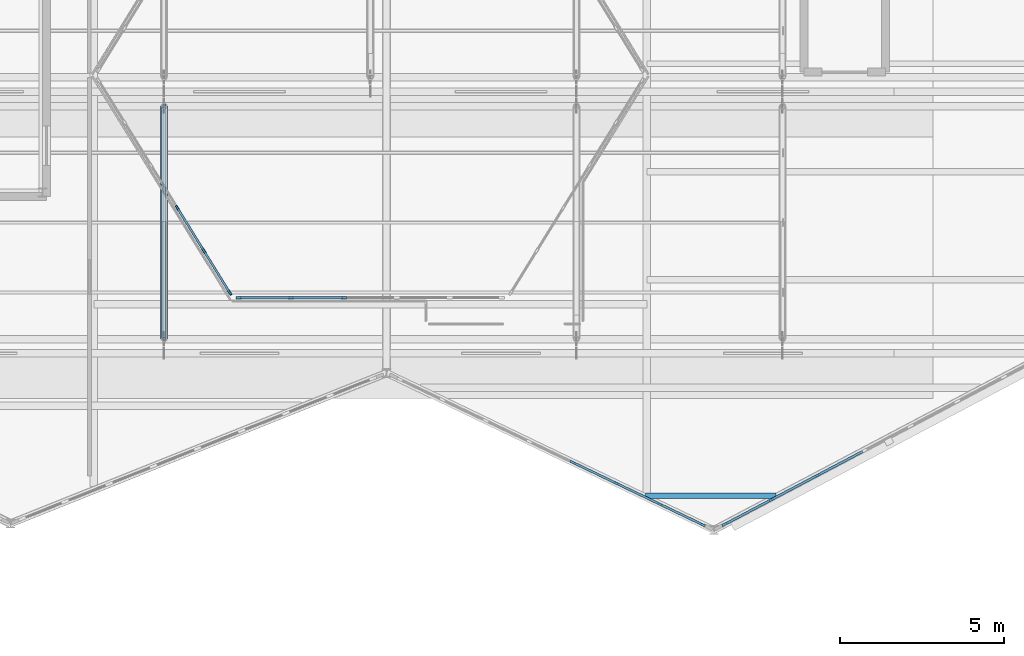
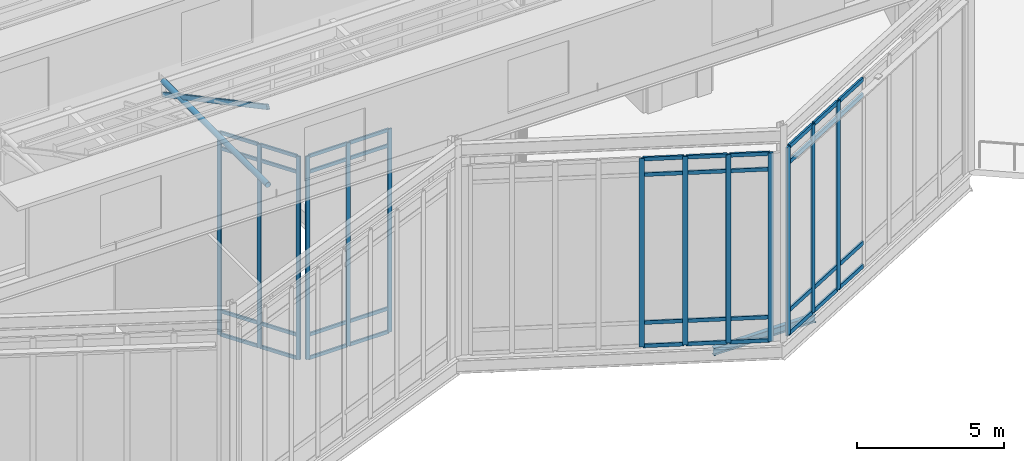
# One storey, part 15 of 66: 55 members, 1 beam, 4 elements without a shape of their own.
"""IFC4 building model written with IfcOpenShell, lengths in metres."""

import ifcopenshell
import ifcopenshell.guid

model = None  # the IFC model being written
_history = None  # IfcOwnerHistory: only IFC2X3 demands one
_inside = {}  # id of a spatial element -> (the spatial element, [elements in it])
_under = {}  # id of a project, library or spatial element -> (it, [spatial elements below it])
_declared = {}  # id of a project -> (the project, [libraries it declares])
_typed = {}  # id of a type object -> (the type object, [elements of that type])
_made_of = {}  # id of a material, layer set ... -> (it, [elements and type objects made of it])


def new_model(schema):
    """Start an empty IFC model of exactly this schema.

    Asked for "IFC4X3", IfcOpenShell would pick the latest addendum, in which some entities
    have other attributes; the version numbers below select the first issue.
    IFC2X3 requires an IfcOwnerHistory on every rooted entity: one is made here for all.
    """
    global model, _history
    if schema == "IFC4X3":
        model = ifcopenshell.file(schema_version=(4, 3, 0, 0))
    else:
        model = ifcopenshell.file(schema=schema)
    _inside.clear()
    _under.clear()
    _declared.clear()
    _typed.clear()
    _made_of.clear()
    _history = None
    if model.schema == "IFC2X3":
        org = make("IfcOrganization", Name="unknown")
        user = make(
            "IfcPersonAndOrganization",
            ThePerson=make("IfcPerson", FamilyName="unknown"),
            TheOrganization=org,
        )
        app = make(
            "IfcApplication",
            ApplicationDeveloper=org,
            Version="unknown",
            ApplicationFullName="unknown",
            ApplicationIdentifier="unknown",
        )
        _history = make(
            "IfcOwnerHistory",
            OwningUser=user,
            OwningApplication=app,
            ChangeAction="ADDED",
            CreationDate=0,
        )
    return model


def make(cls, **values):
    """One entity of the class cls with the attributes given. An attribute that is None is left unset."""
    return model.create_entity(
        cls, **{name: value for name, value in values.items() if value is not None}
    )


def rooted(cls, **values):
    """An entity with a GlobalId (a new one), such as an element, a storey or a relation."""
    return make(cls, GlobalId=ifcopenshell.guid.new(), OwnerHistory=_history, **values)


def si_unit(unit_type, name, prefix=None):
    """IfcSIUnit, for example si_unit("LENGTHUNIT", "METRE", prefix="MILLI")."""
    return make("IfcSIUnit", UnitType=unit_type, Prefix=prefix, Name=name)


def assignment(units):
    """IfcUnitAssignment: the units of a project."""
    return None if units is None else make("IfcUnitAssignment", Units=units)


def point(xyz):
    """IfcCartesianPoint."""
    return None if xyz is None else make("IfcCartesianPoint", Coordinates=xyz)


def direction(xyz):
    """IfcDirection."""
    return None if xyz is None else make("IfcDirection", DirectionRatios=xyz)


def frame(location, z_axis=None, x_axis=None):
    """IfcAxis2Placement3D, a coordinate frame: its origin and axes. An axis left out is left unset."""
    return make(
        "IfcAxis2Placement3D",
        Location=point(location),
        Axis=direction(z_axis),
        RefDirection=direction(x_axis),
    )


def frame_2d(location, x_axis=None):
    """IfcAxis2Placement2D, a coordinate frame in the plane: its origin and x axis."""
    return make(
        "IfcAxis2Placement2D", Location=point(location), RefDirection=direction(x_axis)
    )


def origin():
    """The frame at (0, 0, 0) with its axes left unset."""
    return frame((0.0, 0.0, 0.0))


def origin_2d():
    """The frame at (0, 0) in the plane with its x axis left unset."""
    return frame_2d((0.0, 0.0))


def place(relative_to, where):
    """IfcLocalPlacement: puts the frame where relative to a parent placement (None: the world)."""
    return make(
        "IfcLocalPlacement", PlacementRelTo=relative_to, RelativePlacement=where
    )


def context(
    kind, dimensions, precision=None, world=None, true_north=None, identifier=None
):
    """IfcGeometricRepresentationContext, for example the 3D "Model" context."""
    return make(
        "IfcGeometricRepresentationContext",
        ContextIdentifier=identifier,
        ContextType=kind,
        CoordinateSpaceDimension=dimensions,
        Precision=precision,
        WorldCoordinateSystem=world,
        TrueNorth=true_north,
    )


def subcontext(parent, identifier, kind, view, scale=None):
    """IfcGeometricRepresentationSubContext, for example "Body" below "Model"."""
    return make(
        "IfcGeometricRepresentationSubContext",
        ContextIdentifier=identifier,
        ContextType=kind,
        ParentContext=parent,
        TargetScale=scale,
        TargetView=view,
    )


def project(units=None, contexts=None):
    """IfcProject with its units and contexts."""
    return rooted(
        "IfcProject",
        Name="project",
        RepresentationContexts=contexts,
        UnitsInContext=assignment(units),
    )


def spatial(cls, under=None, at=None, **own):
    """A site, building, storey or space (cls), placed at a placement, below another one or the project."""
    s = rooted(cls, ObjectPlacement=at, **own)
    if under is not None:
        _under.setdefault(under.id(), (under, []))[1].append(s)
    return s


def profile(cls, at=None, kind="AREA", **sizes):
    """A parametric profile (cls). Its sizes go by their IFC names, for example OverallWidth=200.0."""
    return make(cls, ProfileType=kind, Position=at, **sizes)


def rectangle(**sizes):
    """IfcRectangleProfileDef."""
    return profile("IfcRectangleProfileDef", **sizes)


def hollow_rectangle(**sizes):
    """IfcRectangleHollowProfileDef."""
    return profile("IfcRectangleHollowProfileDef", **sizes)


def hollow_circle(**sizes):
    """IfcCircleHollowProfileDef."""
    return profile("IfcCircleHollowProfileDef", **sizes)


def i_section(**sizes):
    """IfcIShapeProfileDef."""
    return profile("IfcIShapeProfileDef", **sizes)


def extrude(swept, where, along, depth):
    """IfcExtrudedAreaSolid: the profile swept, set in the frame where, extruded along a direction by depth."""
    return make(
        "IfcExtrudedAreaSolid",
        SweptArea=swept,
        Position=where,
        ExtrudedDirection=direction(along),
        Depth=depth,
    )


def shape(context_of_items, identifier, shape_type, items):
    """IfcShapeRepresentation: the items that make up one representation, for example the "Body"."""
    return make(
        "IfcShapeRepresentation",
        ContextOfItems=context_of_items,
        RepresentationIdentifier=identifier,
        RepresentationType=shape_type,
        Items=items,
    )


def material(Name=None, Category=None):
    """IfcMaterial."""
    return make("IfcMaterial", Name=Name, Category=Category)


def material_profile(
    of_material, cross_section, Name=None, Category=None, Priority=None
):
    """IfcMaterialProfile: a cross section and its material."""
    return make(
        "IfcMaterialProfile",
        Name=Name,
        Material=of_material,
        Profile=cross_section,
        Priority=Priority,
        Category=Category,
    )


def profile_set(profiles, Name=None, composite=None):
    """IfcMaterialProfileSet."""
    return make(
        "IfcMaterialProfileSet",
        Name=Name,
        MaterialProfiles=profiles,
        CompositeProfile=composite,
    )


def made_of(thing, what):
    """Note that an element or type object is made of a material, layer set ...; save() writes the relation."""
    if what is not None:
        _made_of.setdefault(what.id(), (what, []))[1].append(thing)
    return thing


def type_object(cls, material=None, **own):
    """A type object (cls), such as IfcWallType, which elements share."""
    return made_of(rooted(cls, **own), material)


def element(
    cls,
    number,
    at=None,
    inside=None,
    cuts=None,
    type_object=None,
    material=None,
    context=None,
    identifier="Body",
    shape_type=None,
    held_by="IfcProductDefinitionShape",
    body=None,
    shapes=None,
    **own,
):
    """One element of the class cls, such as IfcWall. Its Tag is "e" and its number.

    at: its placement. inside: the storey or other place that contains it. cuts: it is an
    opening in that element (IfcRelVoidsElement). A single representation is given by context,
    identifier, shape_type and body (its items); several are given by shapes. held_by: the class
    of the entity that holds the representations. save() writes the other relations.
    """
    e = rooted(cls, Tag="e%d" % number, ObjectPlacement=at, **own)
    if body is not None:
        shapes = [shape(context, identifier, shape_type, body)]
    if shapes is not None:
        e.Representation = make(held_by, Representations=shapes)
    if inside is not None:
        _inside.setdefault(inside.id(), (inside, []))[1].append(e)
    if cuts is not None:
        rooted(
            "IfcRelVoidsElement", RelatingBuildingElement=cuts, RelatedOpeningElement=e
        )
    if type_object is not None:
        _typed.setdefault(type_object.id(), (type_object, []))[1].append(e)
    return made_of(e, material)


def aggregate(whole, parts):
    """IfcRelAggregates: a whole, such as a stair, and the parts it consists of."""
    return rooted("IfcRelAggregates", RelatingObject=whole, RelatedObjects=parts)


def save(model, path):
    """Write the relations noted so far, then the file.

    IfcRelAggregates (storeys below a building ...), IfcRelContainedInSpatialStructure (elements
    in a storey), IfcRelDefinesByType, IfcRelAssociatesMaterial and IfcRelDeclares: one each for
    every whole, place, type object, material and project.
    """
    for whole, parts in _under.values():
        aggregate(whole, parts)
    for where, things in _inside.values():
        rooted(
            "IfcRelContainedInSpatialStructure",
            RelatedElements=things,
            RelatingStructure=where,
        )
    for kind, things in _typed.values():
        rooted("IfcRelDefinesByType", RelatedObjects=things, RelatingType=kind)
    for what, things in _made_of.values():
        rooted("IfcRelAssociatesMaterial", RelatedObjects=things, RelatingMaterial=what)
    for by, libraries in _declared.values():
        rooted("IfcRelDeclares", RelatingContext=by, RelatedDefinitions=libraries)
    model.write(path)


model = new_model("IFC4")

# Units and contexts
model_context = context("Model", 3, precision=1e-05, world=origin(), true_north=direction((0.0, 1.0)))
body_context = subcontext(model_context, "Body", "Model", "MODEL_VIEW")
ifc_project = project(units=[si_unit("LENGTHUNIT", "METRE"), si_unit("AREAUNIT", "SQUARE_METRE"), si_unit("VOLUMEUNIT", "CUBIC_METRE"), si_unit("PLANEANGLEUNIT", "RADIAN"), si_unit("MASSUNIT", "GRAM", prefix="KILO")], contexts=[model_context])

# Site, building, storey
site_placement = place(None, origin())
site = spatial("IfcSite", under=ifc_project, at=site_placement, CompositionType="ELEMENT")
building_placement = place(site_placement, origin())
building = spatial("IfcBuilding", under=site, at=building_placement, Name="Tameran Prism Museum", CompositionType="ELEMENT")
storey_placement = place(building_placement, frame((0.0, 0.0, 19.800048828125)))
storey = spatial("IfcBuildingStorey", under=building, at=storey_placement, Name="L04", CompositionType="ELEMENT", Elevation=19.800048828125)

# Beam
ifc_material_1 = material(Name="Steel Grade 300PLUS (300 MPa)", Category="steel")
ifc_material_profile_1 = material_profile(ifc_material_1, i_section(OverallWidth=0.1650390625, OverallDepth=0.303955078125, WebThickness=0.006103515625, FlangeThickness=0.01025390625, FilletRadius=0.011474609375, at=origin_2d()))
ifc_profile_set_1 = profile_set([ifc_material_profile_1])
beam_type = type_object("IfcBeamType", Name="BM-J310B", PredefinedType="JOIST", material=ifc_profile_set_1)
beam_placement = place(storey_placement, frame((85.405029296875, 23.64990234375, -0.35205078125), z_axis=(1.0, 0.0, 0.0), x_axis=(0.0, 1.0, 0.0)))
element("IfcBeam", 1, at=beam_placement, inside=storey, type_object=beam_type, Name="Floor Beam BM-1233", PredefinedType="JOIST", context=body_context, shape_type="SweptSolid", body=[
    extrude(i_section(OverallWidth=0.1650390625, OverallDepth=0.303955078125, WebThickness=0.006103515625, FlangeThickness=0.01025390625, FilletRadius=0.011474609375, at=origin_2d()), origin(), (0.0, 0.0, 1.0), 3.9970703125),
])

# Curtain wall, members
ifc_material_2 = material(Name="Anodised Aluminium 6063-T6 and Cyclone Solar Glass", Category="aluminium")
curtain_wall_type_1 = type_object("IfcCurtainWallType", Name="CW-ATR-769x844", PredefinedType="USERDEFINED", material=ifc_material_2)
curtain_wall_1_placement = place(storey_placement, origin())
curtain_wall_1 = element("IfcCurtainWall", 2, at=curtain_wall_1_placement, inside=storey, type_object=curtain_wall_type_1, Name="Unitised Curtain Wall CW-015", ObjectType="UNITISED CURTAIN WALL", PredefinedType="USERDEFINED")
ifc_material_3 = material(Name="Anodised Aluminium Alloy 6063-T6", Category="aluminium")
ifc_material_profile_2 = material_profile(ifc_material_3, rectangle(XDim=0.06494140625, YDim=0.159912109375, at=origin_2d()))
ifc_profile_set_2 = profile_set([ifc_material_profile_2])
member_type_1 = type_object("IfcMemberType", Name="CW-MUL-A", PredefinedType="MULLION", material=ifc_profile_set_2)
member_1_placement = place(storey_placement, frame((71.104248046875, 32.445556640625, 0.0), z_axis=(0.0, 0.0, 1.0), x_axis=(0.850791158897, 0.525503952357, 0.0)))
member_1 = element("IfcMember", 3, at=member_1_placement, type_object=member_type_1, Name="CW-015 mullion 4", PredefinedType="MULLION", context=body_context, shape_type="SweptSolid", body=[
    extrude(rectangle(XDim=0.06494140625, YDim=0.159912109375, at=origin_2d()), origin(), (0.0, 0.0, 1.0), 8.43994140625),
])
member_2_placement = place(storey_placement, frame((71.91259765625, 31.13671875, 0.0), z_axis=(0.0, 0.0, 1.0), x_axis=(0.850791158897, 0.525503952357, 0.0)))
member_2 = element("IfcMember", 4, at=member_2_placement, type_object=member_type_1, Name="CW-015 mullion 5", PredefinedType="MULLION", context=body_context, shape_type="SweptSolid", body=[
    extrude(rectangle(XDim=0.06494140625, YDim=0.159912109375, at=origin_2d()), origin(), (0.0, 0.0, 1.0), 8.43994140625),
])
member_3_placement = place(storey_placement, frame((72.703857421875, 29.855712890625, 0.0), z_axis=(0.0, 0.0, 1.0), x_axis=(0.850791158897, 0.525503952357, 0.0)))
member_3 = element("IfcMember", 5, at=member_3_placement, type_object=member_type_1, Name="CW-015 mullion 6", PredefinedType="MULLION", context=body_context, shape_type="SweptSolid", body=[
    extrude(rectangle(XDim=0.06494140625, YDim=0.159912109375, at=origin_2d()), origin(), (0.0, 0.0, 1.0), 8.43994140625),
])

ifc_material_4 = material(Name="Anodised Aluminium 6063-T6 and Cyclone Solar Glass", Category="aluminium")
curtain_wall_type_2 = type_object("IfcCurtainWallType", Name="CW-ATR-810x844", PredefinedType="USERDEFINED", material=ifc_material_4)
curtain_wall_2_placement = place(storey_placement, origin())
curtain_wall_2 = element("IfcCurtainWall", 6, at=curtain_wall_2_placement, inside=storey, type_object=curtain_wall_type_2, Name="Unitised Curtain Wall CW-016", ObjectType="UNITISED CURTAIN WALL", PredefinedType="USERDEFINED")
member_4_placement = place(storey_placement, frame((72.982421875, 29.699951171875, 0.0), z_axis=(0.0, 0.0, 1.0), x_axis=(0.0, 1.0, 0.0)))
member_4 = element("IfcMember", 7, at=member_4_placement, type_object=member_type_1, Name="CW-016 mullion 1", PredefinedType="MULLION", context=body_context, shape_type="SweptSolid", body=[
    extrude(rectangle(XDim=0.06494140625, YDim=0.159912109375, at=origin_2d()), origin(), (0.0, 0.0, 1.0), 8.43994140625),
])
member_5_placement = place(storey_placement, frame((74.570068359375, 29.699951171875, 0.0), z_axis=(0.0, 0.0, 1.0), x_axis=(0.0, 1.0, 0.0)))
member_5 = element("IfcMember", 8, at=member_5_placement, type_object=member_type_1, Name="CW-016 mullion 2", PredefinedType="MULLION", context=body_context, shape_type="SweptSolid", body=[
    extrude(rectangle(XDim=0.06494140625, YDim=0.159912109375, at=origin_2d()), origin(), (0.0, 0.0, 1.0), 8.43994140625),
])
member_6_placement = place(storey_placement, frame((76.18994140625, 29.699951171875, 0.0), z_axis=(0.0, 0.0, 1.0), x_axis=(0.0, 1.0, 0.0)))
member_6 = element("IfcMember", 9, at=member_6_placement, type_object=member_type_1, Name="CW-016 mullion 3", PredefinedType="MULLION", context=body_context, shape_type="SweptSolid", body=[
    extrude(rectangle(XDim=0.06494140625, YDim=0.159912109375, at=origin_2d()), origin(), (0.0, 0.0, 1.0), 8.43994140625),
])

ifc_material_5 = material(Name="Anodised Aluminium 6063-T6 and Cyclone Solar Glass", Category="aluminium")
curtain_wall_type_3 = type_object("IfcCurtainWallType", Name="CW-FAC-1033x782", PredefinedType="USERDEFINED", material=ifc_material_5)
curtain_wall_3_placement = place(storey_placement, origin())
curtain_wall_3 = element("IfcCurtainWall", 10, at=curtain_wall_3_placement, inside=storey, type_object=curtain_wall_type_3, Name="Unitised Curtain Wall CW-160", ObjectType="UNITISED CURTAIN WALL", PredefinedType="USERDEFINED")
ifc_material_6 = material(Name="Anodised Aluminium Alloy 6063-T6", Category="aluminium")
ifc_material_profile_3 = material_profile(ifc_material_6, rectangle(XDim=0.070068359375, YDim=0.179931640625, at=origin_2d()))
ifc_profile_set_3 = profile_set([ifc_material_profile_3])
member_type_2 = type_object("IfcMemberType", Name="CW-MUL-B", PredefinedType="MULLION", material=ifc_profile_set_3)
member_7_placement = place(storey_placement, frame((87.15234375, 22.76611328125, 0.0), z_axis=(0.0, 0.0, 1.0), x_axis=(-0.432831753637, -0.901474721245, 0.0)))
member_7 = element("IfcMember", 11, at=member_7_placement, type_object=member_type_2, Name="CW-160 mullion 1", PredefinedType="MULLION", context=body_context, shape_type="SweptSolid", body=[
    extrude(rectangle(XDim=0.070068359375, YDim=0.179931640625, at=origin_2d()), origin(), (0.0, 0.0, 1.0), 7.820068359375),
])
member_8_placement = place(storey_placement, frame((85.853515625, 23.389892578125, 0.0), z_axis=(0.0, 0.0, 1.0), x_axis=(-0.432831753637, -0.901474721245, 0.0)))
member_8 = element("IfcMember", 12, at=member_8_placement, type_object=member_type_2, Name="CW-160 mullion 2", PredefinedType="MULLION", context=body_context, shape_type="SweptSolid", body=[
    extrude(rectangle(XDim=0.070068359375, YDim=0.179931640625, at=origin_2d()), origin(), (0.0, 0.0, 1.0), 7.820068359375),
])
member_9_placement = place(storey_placement, frame((84.52294921875, 24.02880859375, 0.0), z_axis=(0.0, 0.0, 1.0), x_axis=(-0.432831753637, -0.901474721245, 0.0)))
member_9 = element("IfcMember", 13, at=member_9_placement, type_object=member_type_2, Name="CW-160 mullion 3", PredefinedType="MULLION", context=body_context, shape_type="SweptSolid", body=[
    extrude(rectangle(XDim=0.070068359375, YDim=0.179931640625, at=origin_2d()), origin(), (0.0, 0.0, 1.0), 7.820068359375),
])
member_10_placement = place(storey_placement, frame((83.1923828125, 24.66748046875, 0.0), z_axis=(0.0, 0.0, 1.0), x_axis=(-0.432831753637, -0.901474721245, 0.0)))
member_10 = element("IfcMember", 14, at=member_10_placement, type_object=member_type_2, Name="CW-160 mullion 4", PredefinedType="MULLION", context=body_context, shape_type="SweptSolid", body=[
    extrude(rectangle(XDim=0.070068359375, YDim=0.179931640625, at=origin_2d()), origin(), (0.0, 0.0, 1.0), 7.820068359375),
])

ifc_material_7 = material(Name="Anodised Aluminium 6063-T6 and Cyclone Solar Glass", Category="aluminium")
curtain_wall_type_4 = type_object("IfcCurtainWallType", Name="CW-FAC-1129x782", PredefinedType="USERDEFINED", material=ifc_material_7)
curtain_wall_4_placement = place(storey_placement, origin())
curtain_wall_4 = element("IfcCurtainWall", 15, at=curtain_wall_4_placement, inside=storey, type_object=curtain_wall_type_4, Name="Unitised Curtain Wall CW-161", ObjectType="UNITISED CURTAIN WALL", PredefinedType="USERDEFINED")
ifc_material_8 = material(Name="Anodised Aluminium Alloy 6063-T6", Category="aluminium")
ifc_material_profile_4 = material_profile(ifc_material_8, rectangle(XDim=0.074951171875, YDim=0.199951171875, at=origin_2d()))
ifc_profile_set_4 = profile_set([ifc_material_profile_4])
member_type_3 = type_object("IfcMemberType", Name="CW-MUL-C", PredefinedType="MULLION", material=ifc_profile_set_4)
member_11_placement = place(storey_placement, frame((90.660888671875, 24.269775390625, 0.0), z_axis=(0.0, 0.0, 1.0), x_axis=(0.467155004099, -0.884175436294, 0.0)))
member_11 = element("IfcMember", 16, at=member_11_placement, type_object=member_type_3, Name="CW-161 mullion 6", PredefinedType="MULLION", context=body_context, shape_type="SweptSolid", body=[
    extrude(rectangle(XDim=0.074951171875, YDim=0.199951171875, at=origin_2d()), origin(), (0.0, 0.0, 1.0), 7.820068359375),
])
member_12_placement = place(storey_placement, frame((89.235107421875, 23.516357421875, 0.0), z_axis=(0.0, 0.0, 1.0), x_axis=(0.467155004099, -0.884175436294, 0.0)))
member_12 = element("IfcMember", 17, at=member_12_placement, type_object=member_type_3, Name="CW-161 mullion 7", PredefinedType="MULLION", context=body_context, shape_type="SweptSolid", body=[
    extrude(rectangle(XDim=0.074951171875, YDim=0.199951171875, at=origin_2d()), origin(), (0.0, 0.0, 1.0), 7.820068359375),
])
member_13_placement = place(storey_placement, frame((87.842041015625, 22.780517578125, 0.0), z_axis=(0.0, 0.0, 1.0), x_axis=(0.467155004099, -0.884175436294, 0.0)))
member_13 = element("IfcMember", 18, at=member_13_placement, type_object=member_type_3, Name="CW-161 mullion 8", PredefinedType="MULLION", context=body_context, shape_type="SweptSolid", body=[
    extrude(rectangle(XDim=0.074951171875, YDim=0.199951171875, at=origin_2d()), origin(), (0.0, 0.0, 1.0), 7.820068359375),
])

# Member
ifc_material_9 = material(Name="Anodised Aluminium Alloy 6063-T6", Category="aluminium")
ifc_material_profile_5 = material_profile(ifc_material_9, rectangle(XDim=0.06494140625, YDim=0.139892578125, at=origin_2d()))
ifc_profile_set_5 = profile_set([ifc_material_profile_5])
member_type_4 = type_object("IfcMemberType", Name="CW-TRN-A", PredefinedType="USERDEFINED", material=ifc_profile_set_5)
member_14_placement = place(storey_placement, frame((71.121337890625, 32.41796875, 0.032470703125), z_axis=(0.525492880722, -0.850797997359, 0.0), x_axis=(0.850797997359, 0.525492880722, 0.0)))
member_14 = element("IfcMember", 19, at=member_14_placement, type_object=member_type_4, Name="CW-015 transom 4.1", ObjectType="TRANSOM", PredefinedType="USERDEFINED", context=body_context, shape_type="SweptSolid", body=[
    extrude(rectangle(XDim=0.06494140625, YDim=0.139892578125, at=origin_2d()), origin(), (0.0, 0.0, 1.0), 1.47314453125),
])

member_15_placement = place(storey_placement, frame((71.121337890625, 32.41796875, 1.0), z_axis=(0.525492880722, -0.850797997359, 0.0), x_axis=(0.850797997359, 0.525492880722, 0.0)))
member_15 = element("IfcMember", 20, at=member_15_placement, type_object=member_type_4, Name="CW-015 transom 4.2", ObjectType="TRANSOM", PredefinedType="USERDEFINED", context=body_context, shape_type="SweptSolid", body=[
    extrude(rectangle(XDim=0.06494140625, YDim=0.139892578125, at=origin_2d()), origin(), (0.0, 0.0, 1.0), 1.47314453125),
])

member_16_placement = place(storey_placement, frame((71.121337890625, 32.41796875, 7.760009765625), z_axis=(0.525492880722, -0.850797997359, 0.0), x_axis=(0.850797997359, 0.525492880722, 0.0)))
member_16 = element("IfcMember", 21, at=member_16_placement, type_object=member_type_4, Name="CW-015 transom 4.3", ObjectType="TRANSOM", PredefinedType="USERDEFINED", context=body_context, shape_type="SweptSolid", body=[
    extrude(rectangle(XDim=0.06494140625, YDim=0.139892578125, at=origin_2d()), origin(), (0.0, 0.0, 1.0), 1.47314453125),
])

member_17_placement = place(storey_placement, frame((71.121337890625, 32.41796875, 8.407470703125), z_axis=(0.525492880722, -0.850797997359, 0.0), x_axis=(0.850797997359, 0.525492880722, 0.0)))
member_17 = element("IfcMember", 22, at=member_17_placement, type_object=member_type_4, Name="CW-015 transom 4.4", ObjectType="TRANSOM", PredefinedType="USERDEFINED", context=body_context, shape_type="SweptSolid", body=[
    extrude(rectangle(XDim=0.06494140625, YDim=0.139892578125, at=origin_2d()), origin(), (0.0, 0.0, 1.0), 1.47314453125),
])

member_18_placement = place(storey_placement, frame((71.9296875, 31.109130859375, 0.032470703125), z_axis=(0.525467627301, -0.850813594543, 0.0), x_axis=(0.850813594543, 0.525467627301, 0.0)))
member_18 = element("IfcMember", 23, at=member_18_placement, type_object=member_type_4, Name="CW-015 transom 5.1", ObjectType="TRANSOM", PredefinedType="USERDEFINED", context=body_context, shape_type="SweptSolid", body=[
    extrude(rectangle(XDim=0.06494140625, YDim=0.139892578125, at=origin_2d()), origin(), (0.0, 0.0, 1.0), 1.440673828125),
])

member_19_placement = place(storey_placement, frame((71.9296875, 31.109130859375, 1.0), z_axis=(0.525467627301, -0.850813594543, 0.0), x_axis=(0.850813594543, 0.525467627301, 0.0)))
member_19 = element("IfcMember", 24, at=member_19_placement, type_object=member_type_4, Name="CW-015 transom 5.2", ObjectType="TRANSOM", PredefinedType="USERDEFINED", context=body_context, shape_type="SweptSolid", body=[
    extrude(rectangle(XDim=0.06494140625, YDim=0.139892578125, at=origin_2d()), origin(), (0.0, 0.0, 1.0), 1.440673828125),
])

member_20_placement = place(storey_placement, frame((71.9296875, 31.109130859375, 7.760009765625), z_axis=(0.525467627301, -0.850813594543, 0.0), x_axis=(0.850813594543, 0.525467627301, 0.0)))
member_20 = element("IfcMember", 25, at=member_20_placement, type_object=member_type_4, Name="CW-015 transom 5.3", ObjectType="TRANSOM", PredefinedType="USERDEFINED", context=body_context, shape_type="SweptSolid", body=[
    extrude(rectangle(XDim=0.06494140625, YDim=0.139892578125, at=origin_2d()), origin(), (0.0, 0.0, 1.0), 1.440673828125),
])

member_21_placement = place(storey_placement, frame((71.9296875, 31.109130859375, 8.407470703125), z_axis=(0.525467627301, -0.850813594543, 0.0), x_axis=(0.850813594543, 0.525467627301, 0.0)))
member_21 = element("IfcMember", 26, at=member_21_placement, type_object=member_type_4, Name="CW-015 transom 5.4", ObjectType="TRANSOM", PredefinedType="USERDEFINED", context=body_context, shape_type="SweptSolid", body=[
    extrude(rectangle(XDim=0.06494140625, YDim=0.139892578125, at=origin_2d()), origin(), (0.0, 0.0, 1.0), 1.440673828125),
])

aggregate(curtain_wall_1, [member_1, member_2, member_3, member_14, member_15, member_16, member_17, member_18, member_19, member_20, member_21])

member_22_placement = place(storey_placement, frame((73.014892578125, 29.699951171875, 0.032470703125), z_axis=(1.0, 0.0, 0.0), x_axis=(0.0, 1.0, 0.0)))
member_22 = element("IfcMember", 27, at=member_22_placement, type_object=member_type_4, Name="CW-016 transom 1.1", ObjectType="TRANSOM", PredefinedType="USERDEFINED", context=body_context, shape_type="SweptSolid", body=[
    extrude(rectangle(XDim=0.06494140625, YDim=0.139892578125, at=origin_2d()), origin(), (0.0, 0.0, 1.0), 1.522705078125),
])

member_23_placement = place(storey_placement, frame((73.014892578125, 29.699951171875, 1.0), z_axis=(1.0, 0.0, 0.0), x_axis=(0.0, 1.0, 0.0)))
member_23 = element("IfcMember", 28, at=member_23_placement, type_object=member_type_4, Name="CW-016 transom 1.2", ObjectType="TRANSOM", PredefinedType="USERDEFINED", context=body_context, shape_type="SweptSolid", body=[
    extrude(rectangle(XDim=0.06494140625, YDim=0.139892578125, at=origin_2d()), origin(), (0.0, 0.0, 1.0), 1.522705078125),
])

member_24_placement = place(storey_placement, frame((73.014892578125, 29.699951171875, 7.760009765625), z_axis=(1.0, 0.0, 0.0), x_axis=(0.0, 1.0, 0.0)))
member_24 = element("IfcMember", 29, at=member_24_placement, type_object=member_type_4, Name="CW-016 transom 1.3", ObjectType="TRANSOM", PredefinedType="USERDEFINED", context=body_context, shape_type="SweptSolid", body=[
    extrude(rectangle(XDim=0.06494140625, YDim=0.139892578125, at=origin_2d()), origin(), (0.0, 0.0, 1.0), 1.522705078125),
])

member_25_placement = place(storey_placement, frame((73.014892578125, 29.699951171875, 8.407470703125), z_axis=(1.0, 0.0, 0.0), x_axis=(0.0, 1.0, 0.0)))
member_25 = element("IfcMember", 30, at=member_25_placement, type_object=member_type_4, Name="CW-016 transom 1.4", ObjectType="TRANSOM", PredefinedType="USERDEFINED", context=body_context, shape_type="SweptSolid", body=[
    extrude(rectangle(XDim=0.06494140625, YDim=0.139892578125, at=origin_2d()), origin(), (0.0, 0.0, 1.0), 1.522705078125),
])

member_26_placement = place(storey_placement, frame((74.6025390625, 29.699951171875, 0.032470703125), z_axis=(1.0, 0.0, 0.0), x_axis=(0.0, 1.0, 0.0)))
member_26 = element("IfcMember", 31, at=member_26_placement, type_object=member_type_4, Name="CW-016 transom 2.1", ObjectType="TRANSOM", PredefinedType="USERDEFINED", context=body_context, shape_type="SweptSolid", body=[
    extrude(rectangle(XDim=0.06494140625, YDim=0.139892578125, at=origin_2d()), origin(), (0.0, 0.0, 1.0), 1.554931640625),
])

member_27_placement = place(storey_placement, frame((74.6025390625, 29.699951171875, 1.0), z_axis=(1.0, 0.0, 0.0), x_axis=(0.0, 1.0, 0.0)))
member_27 = element("IfcMember", 32, at=member_27_placement, type_object=member_type_4, Name="CW-016 transom 2.2", ObjectType="TRANSOM", PredefinedType="USERDEFINED", context=body_context, shape_type="SweptSolid", body=[
    extrude(rectangle(XDim=0.06494140625, YDim=0.139892578125, at=origin_2d()), origin(), (0.0, 0.0, 1.0), 1.554931640625),
])

member_28_placement = place(storey_placement, frame((74.6025390625, 29.699951171875, 7.760009765625), z_axis=(1.0, 0.0, 0.0), x_axis=(0.0, 1.0, 0.0)))
member_28 = element("IfcMember", 33, at=member_28_placement, type_object=member_type_4, Name="CW-016 transom 2.3", ObjectType="TRANSOM", PredefinedType="USERDEFINED", context=body_context, shape_type="SweptSolid", body=[
    extrude(rectangle(XDim=0.06494140625, YDim=0.139892578125, at=origin_2d()), origin(), (0.0, 0.0, 1.0), 1.554931640625),
])

member_29_placement = place(storey_placement, frame((74.6025390625, 29.699951171875, 8.407470703125), z_axis=(1.0, 0.0, 0.0), x_axis=(0.0, 1.0, 0.0)))
member_29 = element("IfcMember", 34, at=member_29_placement, type_object=member_type_4, Name="CW-016 transom 2.4", ObjectType="TRANSOM", PredefinedType="USERDEFINED", context=body_context, shape_type="SweptSolid", body=[
    extrude(rectangle(XDim=0.06494140625, YDim=0.139892578125, at=origin_2d()), origin(), (0.0, 0.0, 1.0), 1.554931640625),
])

aggregate(curtain_wall_2, [member_4, member_5, member_6, member_22, member_23, member_24, member_25, member_26, member_27, member_28, member_29])

ifc_material_10 = material(Name="Anodised Aluminium Alloy 6063-T6", Category="aluminium")
ifc_material_profile_6 = material_profile(ifc_material_10, rectangle(XDim=0.070068359375, YDim=0.155029296875, at=origin_2d()))
ifc_profile_set_6 = profile_set([ifc_material_profile_6])
member_type_5 = type_object("IfcMemberType", Name="CW-TRN-B", PredefinedType="USERDEFINED", material=ifc_profile_set_6)
member_30_placement = place(storey_placement, frame((87.120849609375, 22.78125, 0.034912109375), z_axis=(-0.901436894662, 0.432910527642, 0.0), x_axis=(-0.432910527642, -0.901436894662, 0.0)))
member_30 = element("IfcMember", 35, at=member_30_placement, type_object=member_type_5, Name="CW-160 transom 1.1", ObjectType="TRANSOM", PredefinedType="USERDEFINED", context=body_context, shape_type="SweptSolid", body=[
    extrude(rectangle(XDim=0.070068359375, YDim=0.155029296875, at=origin_2d()), origin(), (0.0, 0.0, 1.0), 1.370849609375),
])

member_31_placement = place(storey_placement, frame((87.120849609375, 22.78125, 1.0), z_axis=(-0.901436894662, 0.432910527642, 0.0), x_axis=(-0.432910527642, -0.901436894662, 0.0)))
member_31 = element("IfcMember", 36, at=member_31_placement, type_object=member_type_5, Name="CW-160 transom 1.2", ObjectType="TRANSOM", PredefinedType="USERDEFINED", context=body_context, shape_type="SweptSolid", body=[
    extrude(rectangle(XDim=0.070068359375, YDim=0.155029296875, at=origin_2d()), origin(), (0.0, 0.0, 1.0), 1.370849609375),
])

member_32_placement = place(storey_placement, frame((87.120849609375, 22.78125, 7.139892578125), z_axis=(-0.901436894662, 0.432910527642, 0.0), x_axis=(-0.432910527642, -0.901436894662, 0.0)))
member_32 = element("IfcMember", 37, at=member_32_placement, type_object=member_type_5, Name="CW-160 transom 1.3", ObjectType="TRANSOM", PredefinedType="USERDEFINED", context=body_context, shape_type="SweptSolid", body=[
    extrude(rectangle(XDim=0.070068359375, YDim=0.155029296875, at=origin_2d()), origin(), (0.0, 0.0, 1.0), 1.370849609375),
])

member_33_placement = place(storey_placement, frame((87.120849609375, 22.78125, 7.784912109375), z_axis=(-0.901436894662, 0.432910527642, 0.0), x_axis=(-0.432910527642, -0.901436894662, 0.0)))
member_33 = element("IfcMember", 38, at=member_33_placement, type_object=member_type_5, Name="CW-160 transom 1.4", ObjectType="TRANSOM", PredefinedType="USERDEFINED", context=body_context, shape_type="SweptSolid", body=[
    extrude(rectangle(XDim=0.070068359375, YDim=0.155029296875, at=origin_2d()), origin(), (0.0, 0.0, 1.0), 1.370849609375),
])

member_34_placement = place(storey_placement, frame((85.82177734375, 23.405029296875, 0.034912109375), z_axis=(-0.901433614739, 0.432917357262, 0.0), x_axis=(-0.432917357262, -0.901433614739, 0.0)))
member_34 = element("IfcMember", 39, at=member_34_placement, type_object=member_type_5, Name="CW-160 transom 2.1", ObjectType="TRANSOM", PredefinedType="USERDEFINED", context=body_context, shape_type="SweptSolid", body=[
    extrude(rectangle(XDim=0.070068359375, YDim=0.155029296875, at=origin_2d()), origin(), (0.0, 0.0, 1.0), 1.406005859375),
])

member_35_placement = place(storey_placement, frame((85.82177734375, 23.405029296875, 1.0), z_axis=(-0.901433614739, 0.432917357262, 0.0), x_axis=(-0.432917357262, -0.901433614739, 0.0)))
member_35 = element("IfcMember", 40, at=member_35_placement, type_object=member_type_5, Name="CW-160 transom 2.2", ObjectType="TRANSOM", PredefinedType="USERDEFINED", context=body_context, shape_type="SweptSolid", body=[
    extrude(rectangle(XDim=0.070068359375, YDim=0.155029296875, at=origin_2d()), origin(), (0.0, 0.0, 1.0), 1.406005859375),
])

member_36_placement = place(storey_placement, frame((85.82177734375, 23.405029296875, 7.139892578125), z_axis=(-0.901433614739, 0.432917357262, 0.0), x_axis=(-0.432917357262, -0.901433614739, 0.0)))
member_36 = element("IfcMember", 41, at=member_36_placement, type_object=member_type_5, Name="CW-160 transom 2.3", ObjectType="TRANSOM", PredefinedType="USERDEFINED", context=body_context, shape_type="SweptSolid", body=[
    extrude(rectangle(XDim=0.070068359375, YDim=0.155029296875, at=origin_2d()), origin(), (0.0, 0.0, 1.0), 1.406005859375),
])

member_37_placement = place(storey_placement, frame((85.82177734375, 23.405029296875, 7.784912109375), z_axis=(-0.901433614739, 0.432917357262, 0.0), x_axis=(-0.432917357262, -0.901433614739, 0.0)))
member_37 = element("IfcMember", 42, at=member_37_placement, type_object=member_type_5, Name="CW-160 transom 2.4", ObjectType="TRANSOM", PredefinedType="USERDEFINED", context=body_context, shape_type="SweptSolid", body=[
    extrude(rectangle(XDim=0.070068359375, YDim=0.155029296875, at=origin_2d()), origin(), (0.0, 0.0, 1.0), 1.406005859375),
])

member_38_placement = place(storey_placement, frame((84.4912109375, 24.0439453125, 0.034912109375), z_axis=(-0.901501376288, 0.43277623381, 0.0), x_axis=(-0.43277623381, -0.901501376288, 0.0)))
member_38 = element("IfcMember", 43, at=member_38_placement, type_object=member_type_5, Name="CW-160 transom 3.1", ObjectType="TRANSOM", PredefinedType="USERDEFINED", context=body_context, shape_type="SweptSolid", body=[
    extrude(rectangle(XDim=0.070068359375, YDim=0.155029296875, at=origin_2d()), origin(), (0.0, 0.0, 1.0), 1.40576171875),
])

member_39_placement = place(storey_placement, frame((84.4912109375, 24.0439453125, 1.0), z_axis=(-0.901501376288, 0.43277623381, 0.0), x_axis=(-0.43277623381, -0.901501376288, 0.0)))
member_39 = element("IfcMember", 44, at=member_39_placement, type_object=member_type_5, Name="CW-160 transom 3.2", ObjectType="TRANSOM", PredefinedType="USERDEFINED", context=body_context, shape_type="SweptSolid", body=[
    extrude(rectangle(XDim=0.070068359375, YDim=0.155029296875, at=origin_2d()), origin(), (0.0, 0.0, 1.0), 1.40576171875),
])

member_40_placement = place(storey_placement, frame((84.4912109375, 24.0439453125, 7.139892578125), z_axis=(-0.901501376288, 0.43277623381, 0.0), x_axis=(-0.43277623381, -0.901501376288, 0.0)))
member_40 = element("IfcMember", 45, at=member_40_placement, type_object=member_type_5, Name="CW-160 transom 3.3", ObjectType="TRANSOM", PredefinedType="USERDEFINED", context=body_context, shape_type="SweptSolid", body=[
    extrude(rectangle(XDim=0.070068359375, YDim=0.155029296875, at=origin_2d()), origin(), (0.0, 0.0, 1.0), 1.40576171875),
])

member_41_placement = place(storey_placement, frame((84.4912109375, 24.0439453125, 7.784912109375), z_axis=(-0.901501376288, 0.43277623381, 0.0), x_axis=(-0.43277623381, -0.901501376288, 0.0)))
member_41 = element("IfcMember", 46, at=member_41_placement, type_object=member_type_5, Name="CW-160 transom 3.4", ObjectType="TRANSOM", PredefinedType="USERDEFINED", context=body_context, shape_type="SweptSolid", body=[
    extrude(rectangle(XDim=0.070068359375, YDim=0.155029296875, at=origin_2d()), origin(), (0.0, 0.0, 1.0), 1.40576171875),
])

aggregate(curtain_wall_3, [member_7, member_8, member_9, member_10, member_30, member_31, member_32, member_33, member_34, member_35, member_36, member_37, member_38, member_39, member_40, member_41])

ifc_material_11 = material(Name="Anodised Aluminium Alloy 6063-T6", Category="aluminium")
ifc_material_profile_7 = material_profile(ifc_material_11, rectangle(XDim=0.074951171875, YDim=0.175048828125, at=origin_2d()))
ifc_profile_set_7 = profile_set([ifc_material_profile_7])
member_type_6 = type_object("IfcMemberType", Name="CW-TRN-C", PredefinedType="USERDEFINED", material=ifc_profile_set_7)
member_42_placement = place(storey_placement, frame((92.053955078125, 25.005859375, 0.037353515625), z_axis=(-0.884169879325, -0.467165521518, 0.0), x_axis=(0.467165521518, -0.884169879325, 0.0)))
member_42 = element("IfcMember", 47, at=member_42_placement, type_object=member_type_6, Name="CW-161 transom 5.1", ObjectType="TRANSOM", PredefinedType="USERDEFINED", context=body_context, shape_type="SweptSolid", body=[
    extrude(rectangle(XDim=0.074951171875, YDim=0.175048828125, at=origin_2d()), origin(), (0.0, 0.0, 1.0), 1.5380859375),
])

member_43_placement = place(storey_placement, frame((92.053955078125, 25.005859375, 1.0), z_axis=(-0.884169879325, -0.467165521518, 0.0), x_axis=(0.467165521518, -0.884169879325, 0.0)))
member_43 = element("IfcMember", 48, at=member_43_placement, type_object=member_type_6, Name="CW-161 transom 5.2", ObjectType="TRANSOM", PredefinedType="USERDEFINED", context=body_context, shape_type="SweptSolid", body=[
    extrude(rectangle(XDim=0.074951171875, YDim=0.175048828125, at=origin_2d()), origin(), (0.0, 0.0, 1.0), 1.5380859375),
])

member_44_placement = place(storey_placement, frame((92.053955078125, 25.005859375, 7.139892578125), z_axis=(-0.884169879325, -0.467165521518, 0.0), x_axis=(0.467165521518, -0.884169879325, 0.0)))
member_44 = element("IfcMember", 49, at=member_44_placement, type_object=member_type_6, Name="CW-161 transom 5.3", ObjectType="TRANSOM", PredefinedType="USERDEFINED", context=body_context, shape_type="SweptSolid", body=[
    extrude(rectangle(XDim=0.074951171875, YDim=0.175048828125, at=origin_2d()), origin(), (0.0, 0.0, 1.0), 1.5380859375),
])

member_45_placement = place(storey_placement, frame((92.053955078125, 25.005859375, 7.782470703125), z_axis=(-0.884169879325, -0.467165521518, 0.0), x_axis=(0.467165521518, -0.884169879325, 0.0)))
member_45 = element("IfcMember", 50, at=member_45_placement, type_object=member_type_6, Name="CW-161 transom 5.4", ObjectType="TRANSOM", PredefinedType="USERDEFINED", context=body_context, shape_type="SweptSolid", body=[
    extrude(rectangle(XDim=0.074951171875, YDim=0.175048828125, at=origin_2d()), origin(), (0.0, 0.0, 1.0), 1.5380859375),
])

member_46_placement = place(storey_placement, frame((90.6279296875, 24.25244140625, 0.037353515625), z_axis=(-0.884169879325, -0.467165521518, 0.0), x_axis=(0.467165521518, -0.884169879325, 0.0)))
member_46 = element("IfcMember", 51, at=member_46_placement, type_object=member_type_6, Name="CW-161 transom 6.1", ObjectType="TRANSOM", PredefinedType="USERDEFINED", context=body_context, shape_type="SweptSolid", body=[
    extrude(rectangle(XDim=0.074951171875, YDim=0.175048828125, at=origin_2d()), origin(), (0.0, 0.0, 1.0), 1.5380859375),
])

member_47_placement = place(storey_placement, frame((90.6279296875, 24.25244140625, 1.0), z_axis=(-0.884169879325, -0.467165521518, 0.0), x_axis=(0.467165521518, -0.884169879325, 0.0)))
member_47 = element("IfcMember", 52, at=member_47_placement, type_object=member_type_6, Name="CW-161 transom 6.2", ObjectType="TRANSOM", PredefinedType="USERDEFINED", context=body_context, shape_type="SweptSolid", body=[
    extrude(rectangle(XDim=0.074951171875, YDim=0.175048828125, at=origin_2d()), origin(), (0.0, 0.0, 1.0), 1.5380859375),
])

member_48_placement = place(storey_placement, frame((90.6279296875, 24.25244140625, 7.139892578125), z_axis=(-0.884169879325, -0.467165521518, 0.0), x_axis=(0.467165521518, -0.884169879325, 0.0)))
member_48 = element("IfcMember", 53, at=member_48_placement, type_object=member_type_6, Name="CW-161 transom 6.3", ObjectType="TRANSOM", PredefinedType="USERDEFINED", context=body_context, shape_type="SweptSolid", body=[
    extrude(rectangle(XDim=0.074951171875, YDim=0.175048828125, at=origin_2d()), origin(), (0.0, 0.0, 1.0), 1.5380859375),
])

member_49_placement = place(storey_placement, frame((90.6279296875, 24.25244140625, 7.782470703125), z_axis=(-0.884169879325, -0.467165521518, 0.0), x_axis=(0.467165521518, -0.884169879325, 0.0)))
member_49 = element("IfcMember", 54, at=member_49_placement, type_object=member_type_6, Name="CW-161 transom 6.4", ObjectType="TRANSOM", PredefinedType="USERDEFINED", context=body_context, shape_type="SweptSolid", body=[
    extrude(rectangle(XDim=0.074951171875, YDim=0.175048828125, at=origin_2d()), origin(), (0.0, 0.0, 1.0), 1.5380859375),
])

member_50_placement = place(storey_placement, frame((89.201904296875, 23.4990234375, 0.037353515625), z_axis=(-0.884179435605, -0.467147434601, 0.0), x_axis=(0.467147434601, -0.884179435605, 0.0)))
member_50 = element("IfcMember", 55, at=member_50_placement, type_object=member_type_6, Name="CW-161 transom 7.1", ObjectType="TRANSOM", PredefinedType="USERDEFINED", context=body_context, shape_type="SweptSolid", body=[
    extrude(rectangle(XDim=0.074951171875, YDim=0.175048828125, at=origin_2d()), origin(), (0.0, 0.0, 1.0), 1.50048828125),
])

member_51_placement = place(storey_placement, frame((89.201904296875, 23.4990234375, 1.0), z_axis=(-0.884179435605, -0.467147434601, 0.0), x_axis=(0.467147434601, -0.884179435605, 0.0)))
member_51 = element("IfcMember", 56, at=member_51_placement, type_object=member_type_6, Name="CW-161 transom 7.2", ObjectType="TRANSOM", PredefinedType="USERDEFINED", context=body_context, shape_type="SweptSolid", body=[
    extrude(rectangle(XDim=0.074951171875, YDim=0.175048828125, at=origin_2d()), origin(), (0.0, 0.0, 1.0), 1.50048828125),
])

member_52_placement = place(storey_placement, frame((89.201904296875, 23.4990234375, 7.139892578125), z_axis=(-0.884179435605, -0.467147434601, 0.0), x_axis=(0.467147434601, -0.884179435605, 0.0)))
member_52 = element("IfcMember", 57, at=member_52_placement, type_object=member_type_6, Name="CW-161 transom 7.3", ObjectType="TRANSOM", PredefinedType="USERDEFINED", context=body_context, shape_type="SweptSolid", body=[
    extrude(rectangle(XDim=0.074951171875, YDim=0.175048828125, at=origin_2d()), origin(), (0.0, 0.0, 1.0), 1.50048828125),
])

member_53_placement = place(storey_placement, frame((89.201904296875, 23.4990234375, 7.782470703125), z_axis=(-0.884179435605, -0.467147434601, 0.0), x_axis=(0.467147434601, -0.884179435605, 0.0)))
member_53 = element("IfcMember", 58, at=member_53_placement, type_object=member_type_6, Name="CW-161 transom 7.4", ObjectType="TRANSOM", PredefinedType="USERDEFINED", context=body_context, shape_type="SweptSolid", body=[
    extrude(rectangle(XDim=0.074951171875, YDim=0.175048828125, at=origin_2d()), origin(), (0.0, 0.0, 1.0), 1.50048828125),
])

aggregate(curtain_wall_4, [member_11, member_12, member_13, member_42, member_43, member_44, member_45, member_46, member_47, member_48, member_49, member_50, member_51, member_52, member_53])

# Members
ifc_material_12 = material(Name="Steel Grade C350L0 (350 MPa)", Category="steel")
ifc_material_profile_8 = material_profile(ifc_material_12, hollow_circle(Radius=0.109619140625, WallThickness=0.00830078125, at=origin_2d()))
ifc_profile_set_8 = profile_set([ifc_material_profile_8])
member_type_7 = type_object("IfcMemberType", Name="MM-CH-CHS219", PredefinedType="CHORD", material=ifc_profile_set_8)
member_54_placement = place(storey_placement, frame((70.699951171875, 28.43994140625, 8.785888671875), z_axis=(0.0, 1.0, 0.0), x_axis=(-1.0, 0.0, 0.0)))
element("IfcMember", 59, at=member_54_placement, inside=storey, type_object=member_type_7, Name="Sawtooth Chord STM-0169", PredefinedType="CHORD", context=body_context, shape_type="SweptSolid", body=[
    extrude(hollow_circle(Radius=0.109619140625, WallThickness=0.00830078125, at=origin_2d()), origin(), (0.0, 0.0, 1.0), 7.1201171875),
])
ifc_material_13 = material(Name="Steel Grade C350L0 (350 MPa)", Category="steel")
ifc_material_profile_9 = material_profile(ifc_material_13, hollow_rectangle(XDim=0.10009765625, YDim=0.199951171875, WallThickness=0.008056640625, InnerFilletRadius=0.011962890625, OuterFilletRadius=0.02001953125, at=origin_2d()))
ifc_profile_set_9 = profile_set([ifc_material_profile_9])
member_type_8 = type_object("IfcMemberType", Name="MM-RF-RHS200", PredefinedType="RAFTER", material=ifc_profile_set_9)
member_55_placement = place(storey_placement, frame((70.699951171875, 28.43994140625, 12.02392578125), z_axis=(0.0, 0.882216411875, -0.47084413835), x_axis=(-1.0, 0.0, 0.0)))
element("IfcMember", 60, at=member_55_placement, inside=storey, type_object=member_type_8, Name="Sawtooth Rafter STM-0170", PredefinedType="RAFTER", context=body_context, shape_type="SweptSolid", body=[
    extrude(hollow_rectangle(XDim=0.10009765625, YDim=0.199951171875, WallThickness=0.008056640625, InnerFilletRadius=0.011962890625, OuterFilletRadius=0.02001953125, at=origin_2d()), origin(), (0.0, 0.0, 1.0), 8.07080078125),
])

save(model, "model.ifc")
